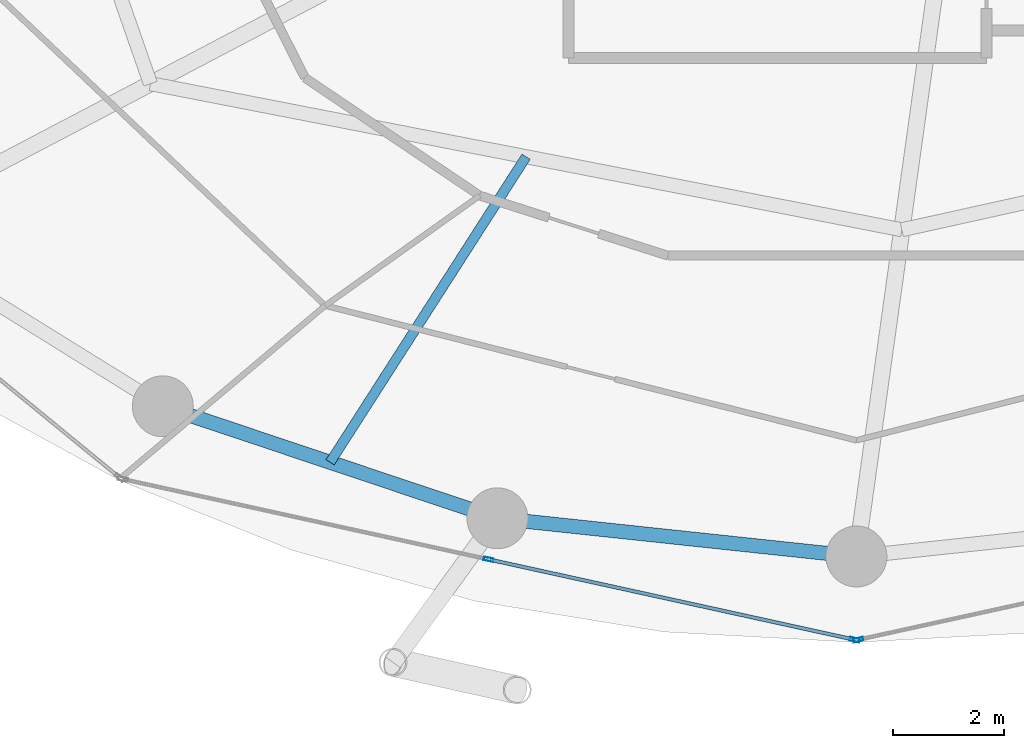
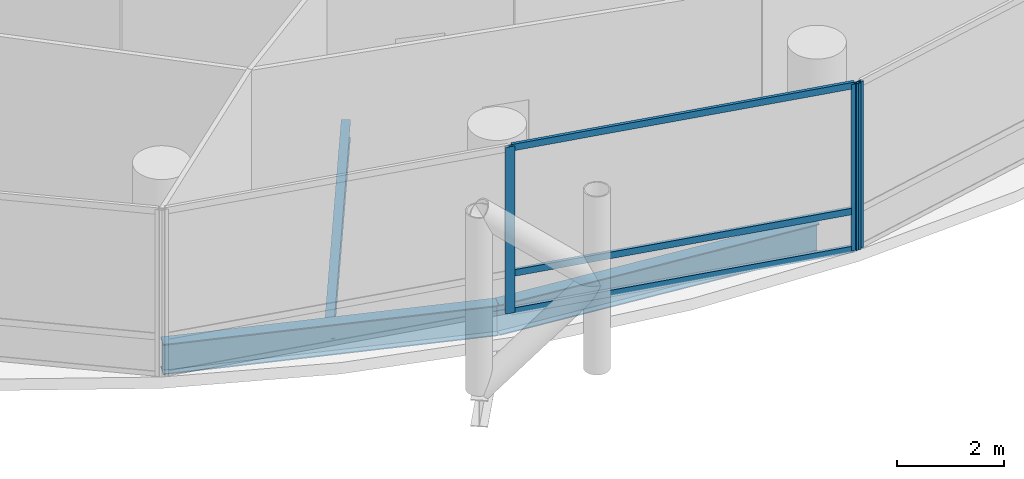
# One storey, part 4 of 24: 6 members, 3 beams, 2 elements without a shape of their own.
"""IFC4 building model written with IfcOpenShell, lengths in metres."""

from ifc_helpers import new_model, si_unit, direction, frame, origin, origin_2d, place, context, subcontext, project, spatial, hollow_rectangle, i_section, extrude, material, layer, layer_set, material_profile, profile_set, type_object, element, aggregate, save


model = new_model("IFC4")

# Units and contexts
model_context = context("Model", 3, precision=1e-05, world=origin(), true_north=direction((0.0, 1.0)))
body_context = subcontext(model_context, "Body", "Model", "MODEL_VIEW")
ifc_project = project(units=[si_unit("LENGTHUNIT", "METRE"), si_unit("AREAUNIT", "SQUARE_METRE"), si_unit("VOLUMEUNIT", "CUBIC_METRE"), si_unit("PLANEANGLEUNIT", "RADIAN"), si_unit("MASSUNIT", "GRAM", prefix="KILO")], contexts=[model_context])

# Site, building, storey
site_placement = place(None, origin())
site = spatial("IfcSite", under=ifc_project, at=site_placement, CompositionType="ELEMENT")
building_placement = place(site_placement, origin())
building = spatial("IfcBuilding", under=site, at=building_placement, Name="Nuhasar Tower", CompositionType="ELEMENT")
storey_placement = place(building_placement, frame((0.0, 0.0, 41.25)))
storey = spatial("IfcBuildingStorey", under=building, at=storey_placement, Name="L09", CompositionType="ELEMENT", Elevation=41.25)

# Beams
ifc_material_1 = material(Name="Steel S355", Category="steel")
ifc_material_profile_1 = material_profile(ifc_material_1, i_section(OverallWidth=0.177978515625, OverallDepth=0.406005859375, WebThickness=0.0078125, FlangeThickness=0.0126953125, at=origin_2d()), Name="W16X40")
ifc_profile_set_1 = profile_set([ifc_material_profile_1], Name="Steel S355")
beam_type_1 = type_object("IfcBeamType", Name="BM-JST-W16X40", PredefinedType="JOIST", material=ifc_profile_set_1)
beam_1_placement = place(storey_placement, frame((33.035888671875, 13.77001953125, -0.462890625), z_axis=(-0.539944240715, -0.841700788237, 0.0), x_axis=(0.841700788237, -0.539944240715, 0.0)))
element("IfcBeam", 1, at=beam_1_placement, inside=storey, type_object=beam_type_1, Name="L09 Secondary Floor Joist 01", PredefinedType="JOIST", context=body_context, shape_type="SweptSolid", body=[
    extrude(i_section(OverallWidth=0.177978515625, OverallDepth=0.406005859375, WebThickness=0.0078125, FlangeThickness=0.0126953125, at=origin_2d()), origin(), (0.0, 0.0, 1.0), 6.555908203125),
])
ifc_material_profile_2 = material_profile(ifc_material_1, i_section(OverallWidth=0.256103515625, OverallDepth=0.693115234375, WebThickness=0.014404296875, FlangeThickness=0.023681640625, at=origin_2d()), Name="W27X114")
ifc_profile_set_2 = profile_set([ifc_material_profile_2], Name="Steel S355")
beam_type_2 = type_object("IfcBeamType", Name="BM-RING-W27X114", PredefinedType="SPANDREL", material=ifc_profile_set_2)
beam_2_placement = place(storey_placement, frame((26.47509765625, 9.262939453125, -0.60595703125), z_axis=(0.94826097201, -0.317491935271, 0.0), x_axis=(0.317491935271, 0.94826097201, 0.0)))
element("IfcBeam", 2, at=beam_2_placement, inside=storey, type_object=beam_type_2, Name="L09 Perimeter Ring Spandrel 17", PredefinedType="SPANDREL", context=body_context, shape_type="SweptSolid", body=[
    extrude(i_section(OverallWidth=0.256103515625, OverallDepth=0.693115234375, WebThickness=0.014404296875, FlangeThickness=0.023681640625, at=origin_2d()), origin(), (0.0, 0.0, 1.0), 6.37158203125),
])
beam_3_placement = place(storey_placement, frame((32.51708984375, 7.239990234375, -0.60595703125), z_axis=(0.994384554061, -0.105827022286, 0.0), x_axis=(0.105827022286, 0.994384554061, 0.0)))
element("IfcBeam", 3, at=beam_3_placement, inside=storey, type_object=beam_type_2, Name="L09 Perimeter Ring Spandrel 18", PredefinedType="SPANDREL", context=body_context, shape_type="SweptSolid", body=[
    extrude(i_section(OverallWidth=0.256103515625, OverallDepth=0.693115234375, WebThickness=0.014404296875, FlangeThickness=0.023681640625, at=origin_2d()), origin(), (0.0, 0.0, 1.0), 6.51953125),
])

# Curtain wall, members
ifc_material_2 = material(Name="Aluminium 6063-T6", Category="aluminium")
ifc_layer = layer(ifc_material_2, 0.199951171875)
ifc_layer_set = layer_set([ifc_layer], Name="Aluminium 6063-T6")
curtain_wall_type = type_object("IfcCurtainWallType", Name="CW-Z1-OFF", PredefinedType="NOTDEFINED", material=ifc_layer_set)
curtain_wall_1_placement = place(storey_placement, origin())
curtain_wall_1 = element("IfcCurtainWall", 4, at=curtain_wall_1_placement, inside=storey, type_object=curtain_wall_type, Name="L09 Unitised Curtain Wall 09", PredefinedType="NOTDEFINED")
ifc_material_profile_3 = material_profile(ifc_material_2, hollow_rectangle(XDim=0.06494140625, YDim=0.179931640625, WallThickness=0.0048828125, at=origin_2d()), Name="CWM-2")
ifc_profile_set_3 = profile_set([ifc_material_profile_3], Name="Aluminium 6063-T6")
member_type_1 = type_object("IfcMemberType", Name="CW-MUL-S2", PredefinedType="MULLION", material=ifc_profile_set_3)
member_1_placement = place(storey_placement, frame((32.360107421875, 6.49755859375, 0.0), z_axis=(0.0, 0.0, 1.0), x_axis=(0.214398737637, 0.976746221544, 0.0)))
member_1 = element("IfcMember", 5, at=member_1_placement, type_object=member_type_1, Name="CW-Z1 mullion 2", PredefinedType="MULLION", context=body_context, shape_type="SweptSolid", body=[
    extrude(hollow_rectangle(XDim=0.06494140625, YDim=0.179931640625, WallThickness=0.0048828125, at=origin_2d()), origin(), (0.0, 0.0, 1.0), 3.7900390625),
])
member_2_placement = place(storey_placement, frame((38.96826171875, 5.046875, 0.0), z_axis=(0.0, 0.0, 1.0), x_axis=(0.214398737637, 0.976746221544, 0.0)))
member_2 = element("IfcMember", 6, at=member_2_placement, type_object=member_type_1, Name="CW-Z1 mullion 3", PredefinedType="MULLION", context=body_context, shape_type="SweptSolid", body=[
    extrude(hollow_rectangle(XDim=0.06494140625, YDim=0.179931640625, WallThickness=0.0048828125, at=origin_2d()), origin(), (0.0, 0.0, 1.0), 3.7900390625),
])

# Curtain wall, member
curtain_wall_2_placement = place(storey_placement, origin())
curtain_wall_2 = element("IfcCurtainWall", 7, at=curtain_wall_2_placement, inside=storey, type_object=curtain_wall_type, Name="L09 Unitised Curtain Wall 10", PredefinedType="NOTDEFINED")
member_3_placement = place(storey_placement, frame((39.03173828125, 5.046875, 0.0), z_axis=(0.0, 0.0, 1.0), x_axis=(-0.214398737637, 0.976746221544, 0.0)))
member_3 = element("IfcMember", 8, at=member_3_placement, type_object=member_type_1, Name="CW-Z1 mullion 1", PredefinedType="MULLION", context=body_context, shape_type="SweptSolid", body=[
    extrude(hollow_rectangle(XDim=0.06494140625, YDim=0.179931640625, WallThickness=0.0048828125, at=origin_2d()), origin(), (0.0, 0.0, 1.0), 3.7900390625),
])
aggregate(curtain_wall_2, [member_3])

# Member
ifc_material_profile_4 = material_profile(ifc_material_2, hollow_rectangle(XDim=0.06494140625, YDim=0.14990234375, WallThickness=0.00439453125, at=origin_2d()), Name="CWT-2")
ifc_profile_set_4 = profile_set([ifc_material_profile_4], Name="Aluminium 6063-T6")
member_type_2 = type_object("IfcMemberType", Name="CW-TRN-S2", PredefinedType="USERDEFINED", material=ifc_profile_set_4)
member_4_placement = place(storey_placement, frame((32.391845703125, 6.490478515625, 0.032470703125), z_axis=(0.976747879138, -0.214391185916, 0.0), x_axis=(0.214391185916, 0.976747879138, 0.0)))
member_4 = element("IfcMember", 9, at=member_4_placement, type_object=member_type_2, Name="CW-Z1 transom 2.1", ObjectType="TRANSOM", PredefinedType="USERDEFINED", context=body_context, shape_type="SweptSolid", body=[
    extrude(hollow_rectangle(XDim=0.06494140625, YDim=0.14990234375, WallThickness=0.00439453125, at=origin_2d()), origin(), (0.0, 0.0, 1.0), 6.700439453125),
])

member_5_placement = place(storey_placement, frame((32.391845703125, 6.490478515625, 0.89990234375), z_axis=(0.976747879138, -0.214391185916, 0.0), x_axis=(0.214391185916, 0.976747879138, 0.0)))
member_5 = element("IfcMember", 10, at=member_5_placement, type_object=member_type_2, Name="CW-Z1 transom 2.2", ObjectType="TRANSOM", PredefinedType="USERDEFINED", context=body_context, shape_type="SweptSolid", body=[
    extrude(hollow_rectangle(XDim=0.06494140625, YDim=0.14990234375, WallThickness=0.00439453125, at=origin_2d()), origin(), (0.0, 0.0, 1.0), 6.700439453125),
])

member_6_placement = place(storey_placement, frame((32.391845703125, 6.490478515625, 3.757568359375), z_axis=(0.976747879138, -0.214391185916, 0.0), x_axis=(0.214391185916, 0.976747879138, 0.0)))
member_6 = element("IfcMember", 11, at=member_6_placement, type_object=member_type_2, Name="CW-Z1 transom 2.3", ObjectType="TRANSOM", PredefinedType="USERDEFINED", context=body_context, shape_type="SweptSolid", body=[
    extrude(hollow_rectangle(XDim=0.06494140625, YDim=0.14990234375, WallThickness=0.00439453125, at=origin_2d()), origin(), (0.0, 0.0, 1.0), 6.700439453125),
])

aggregate(curtain_wall_1, [member_1, member_2, member_4, member_5, member_6])

save(model, "model.ifc")
